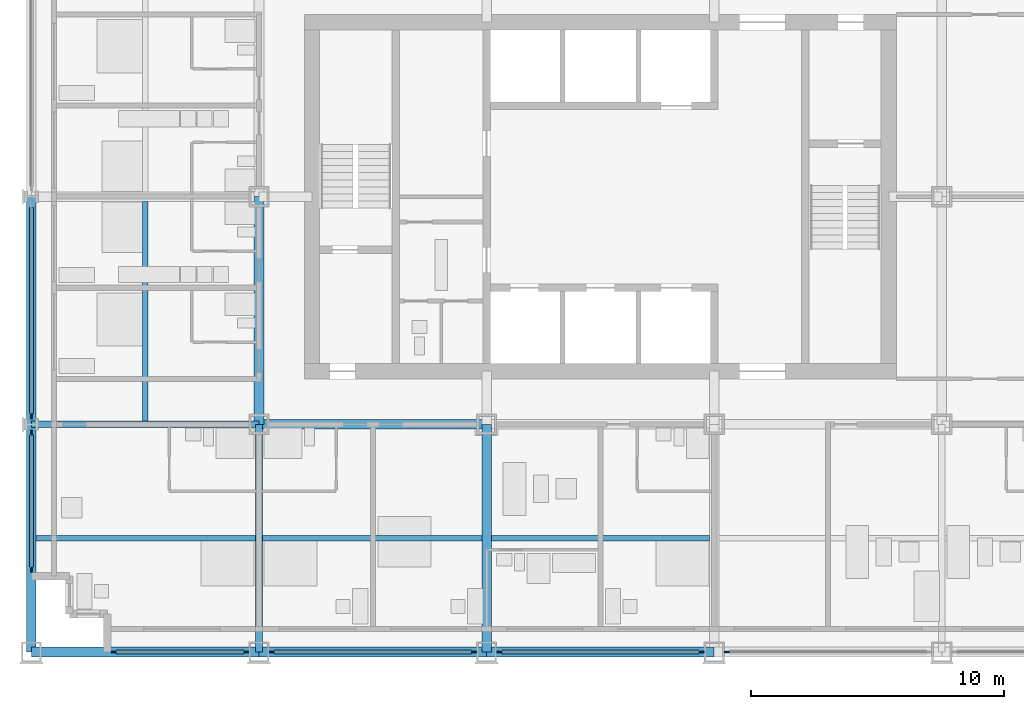
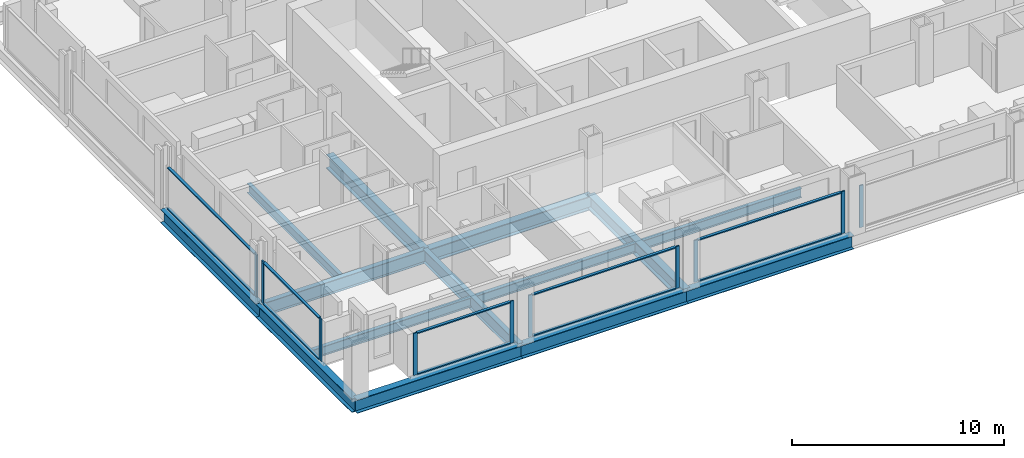
# One storey, part 2 of 18: 20 members, 14 beams, 6 elements without a shape of their own.
"""IFC4 building model written with IfcOpenShell, lengths in metres."""

from ifc_helpers import new_model, si_unit, direction, frame, origin, origin_2d, place, context, subcontext, project, spatial, rectangle, i_section, extrude, material, material_profile, profile_set, type_object, element, aggregate, save


model = new_model("IFC4")

# Units and contexts
model_context = context("Model", 3, precision=1e-05, world=origin(), true_north=direction((0.0, 1.0)))
body_context = subcontext(model_context, "Body", "Model", "MODEL_VIEW")
ifc_project = project(units=[si_unit("LENGTHUNIT", "METRE"), si_unit("AREAUNIT", "SQUARE_METRE"), si_unit("VOLUMEUNIT", "CUBIC_METRE"), si_unit("PLANEANGLEUNIT", "RADIAN"), si_unit("MASSUNIT", "GRAM", prefix="KILO")], contexts=[model_context])

# Site, building, storey
site_placement = place(None, origin())
site = spatial("IfcSite", under=ifc_project, at=site_placement, CompositionType="ELEMENT")
building_placement = place(site_placement, origin())
building = spatial("IfcBuilding", under=site, at=building_placement, Name="Loomwork Tower", CompositionType="ELEMENT")
storey_placement = place(building_placement, frame((0.0, 0.0, 58.60009765625)))
storey = spatial("IfcBuildingStorey", under=building, at=storey_placement, Name="L14", CompositionType="ELEMENT", Elevation=58.60009765625)

# Beams
ifc_material_1 = material(Name="Steel ASTM A992", Category="steel")
ifc_material_profile_1 = material_profile(ifc_material_1, i_section(OverallWidth=0.383544921875, OverallDepth=0.794921875, WebThickness=0.02099609375, FlangeThickness=0.0380859375, at=origin_2d()), Name="W30x235")
ifc_profile_set_1 = profile_set([ifc_material_profile_1], Name="Steel ASTM A992")
beam_type_1 = type_object("IfcBeamType", Name="CORE FLANK GIRDER W30x235", PredefinedType="BEAM", material=ifc_profile_set_1)
for number, where, z_axis, x_axis, name in (
    (1, (9.0, 9.0, -0.59765625), (1.0, 0.0, 0.0), (0.0, 1.0, 0.0), "Core Flank Girder E/3-E/4 L14"),
    (2, (9.0, 9.0, -0.59765625), (0.0, 1.0, 0.0), (-1.0, 0.0, 0.0), "Core Flank Girder E/3-F/3 L14"),
    (3, (18.0, 0.0, -0.59765625), (0.0, 1.0, 0.0), (-1.0, 0.0, 0.0), "Core Flank Girder D/4-E/4 L14"),
):
    element("IfcBeam", number, at=place(storey_placement, frame(where, z_axis=z_axis, x_axis=x_axis)), inside=storey, type_object=beam_type_1, Name=name, PredefinedType="BEAM", context=body_context, shape_type="SweptSolid", body=[
        extrude(i_section(OverallWidth=0.383544921875, OverallDepth=0.794921875, WebThickness=0.02099609375, FlangeThickness=0.0380859375, at=origin_2d()), origin(), (0.0, 0.0, 1.0), 9.0),
    ])
ifc_material_2 = material(Name="Steel ASTM A992", Category="steel")
ifc_material_profile_2 = material_profile(ifc_material_2, i_section(OverallWidth=0.2666015625, OverallDepth=0.761962890625, WebThickness=0.014404296875, FlangeThickness=0.021484375, at=origin_2d()), Name="W30x116")
ifc_profile_set_2 = profile_set([ifc_material_profile_2], Name="Steel ASTM A992")
beam_type_2 = type_object("IfcBeamType", Name="FLOOR GIRDER W30x116", PredefinedType="BEAM", material=ifc_profile_set_2)
for number, where, z_axis, x_axis, name in (
    (4, (0.0, 9.0, -0.5810546875), (1.0, 0.0, 0.0), (0.0, 1.0, 0.0), "Floor Girder E/2-E/3 L14"),
    (5, (9.0, 0.0, -0.5810546875), (0.0, 1.0, 0.0), (-1.0, 0.0, 0.0), "Floor Girder D/3-E/3 L14"),
):
    element("IfcBeam", number, at=place(storey_placement, frame(where, z_axis=z_axis, x_axis=x_axis)), inside=storey, type_object=beam_type_2, Name=name, PredefinedType="BEAM", context=body_context, shape_type="SweptSolid", body=[
        extrude(i_section(OverallWidth=0.2666015625, OverallDepth=0.761962890625, WebThickness=0.014404296875, FlangeThickness=0.021484375, at=origin_2d()), origin(), (0.0, 0.0, 1.0), 9.0),
    ])
ifc_material_3 = material(Name="Steel ASTM A992", Category="steel")
ifc_material_profile_3 = material_profile(ifc_material_3, i_section(OverallWidth=0.2109375, OverallDepth=0.53857421875, WebThickness=0.011474609375, FlangeThickness=0.018798828125, at=origin_2d()), Name="W21x73")
ifc_profile_set_3 = profile_set([ifc_material_profile_3], Name="Steel ASTM A992")
beam_type_3 = type_object("IfcBeamType", Name="FLOOR JOIST W21x73", PredefinedType="JOIST", material=ifc_profile_set_3)
beam_1_placement = place(storey_placement, frame((0.18994140625, 4.5, -0.46923828125), z_axis=(1.0, 0.0, 0.0), x_axis=(0.0, 1.0, 0.0)))
element("IfcBeam", 6, at=beam_1_placement, inside=storey, type_object=beam_type_3, Name="Floor Joist 0.000,4.500-9.000,4.500 L14", PredefinedType="JOIST", context=body_context, shape_type="SweptSolid", body=[
    extrude(i_section(OverallWidth=0.2109375, OverallDepth=0.53857421875, WebThickness=0.011474609375, FlangeThickness=0.018798828125, at=origin_2d()), origin(), (0.0, 0.0, 1.0), 8.677001953125),
])
for number, where, z_axis, x_axis, name in (
    (7, (4.5, 9.133056640625, -0.46923828125), (0.0, 1.0, 0.0), (-1.0, 0.0, 0.0), "Floor Joist 4.500,9.000-4.500,18.000 L14"),
    (8, (9.133056640625, 4.5, -0.46923828125), (1.0, 0.0, 0.0), (0.0, 1.0, 0.0), "Floor Joist 9.000,4.500-18.000,4.500 L14"),
):
    element("IfcBeam", number, at=place(storey_placement, frame(where, z_axis=z_axis, x_axis=x_axis)), inside=storey, type_object=beam_type_3, Name=name, PredefinedType="JOIST", context=body_context, shape_type="SweptSolid", body=[
        extrude(i_section(OverallWidth=0.2109375, OverallDepth=0.53857421875, WebThickness=0.011474609375, FlangeThickness=0.018798828125, at=origin_2d()), origin(), (0.0, 0.0, 1.0), 8.676025390625),
    ])
beam_2_placement = place(storey_placement, frame((18.19091796875, 4.5, -0.46923828125), z_axis=(1.0, 0.0, 0.0), x_axis=(0.0, 1.0, 0.0)))
element("IfcBeam", 9, at=beam_2_placement, inside=storey, type_object=beam_type_3, Name="Floor Joist 18.000,4.500-27.000,4.500 L14", PredefinedType="JOIST", context=body_context, shape_type="SweptSolid", body=[
    extrude(i_section(OverallWidth=0.2109375, OverallDepth=0.53857421875, WebThickness=0.011474609375, FlangeThickness=0.018798828125, at=origin_2d()), origin(), (0.0, 0.0, 1.0), 8.6181640625),
])

# Curtain wall, members
ifc_material_4 = material(Name="Aluminium curtain wall frame", Category="aluminium")
curtain_wall_type = type_object("IfcCurtainWallType", Name="Outer skin glazing hotel", PredefinedType="NOTDEFINED", material=ifc_material_4)
curtain_wall_1_placement = place(storey_placement, origin())
curtain_wall_1 = element("IfcCurtainWall", 10, at=curtain_wall_1_placement, inside=storey, type_object=curtain_wall_type, Name="Outer skin glazing hotel cw/S-0", PredefinedType="NOTDEFINED")
ifc_material_5 = material(Name="Aluminium curtain wall frame", Category="aluminium")
ifc_material_profile_4 = material_profile(ifc_material_5, rectangle(XDim=0.06494140625, YDim=0.199951171875, at=origin_2d()), Name="AL 65x200")
ifc_profile_set_4 = profile_set([ifc_material_profile_4], Name="Aluminium curtain wall frame")
member_type_1 = type_object("IfcMemberType", Name="Outer skin glazing hotel mullion", PredefinedType="MULLION", material=ifc_profile_set_4)
member_1_placement = place(storey_placement, frame((3.25, 0.0, 0.0), z_axis=(0.0, 0.0, 1.0), x_axis=(0.0, 1.0, 0.0)))
member_1 = element("IfcMember", 11, at=member_1_placement, type_object=member_type_1, Name="CW1 mullion 1", PredefinedType="MULLION", context=body_context, shape_type="SweptSolid", body=[
    extrude(rectangle(XDim=0.06494140625, YDim=0.199951171875, at=origin_2d()), origin(), (0.0, 0.0, 1.0), 2.420166015625),
])
member_2_placement = place(storey_placement, frame((8.5, 0.0, 0.0), z_axis=(0.0, 0.0, 1.0), x_axis=(0.0, 1.0, 0.0)))
member_2 = element("IfcMember", 12, at=member_2_placement, type_object=member_type_1, Name="CW1 mullion 2", PredefinedType="MULLION", context=body_context, shape_type="SweptSolid", body=[
    extrude(rectangle(XDim=0.06494140625, YDim=0.199951171875, at=origin_2d()), origin(), (0.0, 0.0, 1.0), 2.420166015625),
])

curtain_wall_2_placement = place(storey_placement, origin())
curtain_wall_2 = element("IfcCurtainWall", 13, at=curtain_wall_2_placement, inside=storey, type_object=curtain_wall_type, Name="Outer skin glazing hotel cw/S-9", PredefinedType="NOTDEFINED")
member_3_placement = place(storey_placement, frame((9.5, 0.0, 0.0), z_axis=(0.0, 0.0, 1.0), x_axis=(0.0, 1.0, 0.0)))
member_3 = element("IfcMember", 14, at=member_3_placement, type_object=member_type_1, Name="CW1 mullion 1", PredefinedType="MULLION", context=body_context, shape_type="SweptSolid", body=[
    extrude(rectangle(XDim=0.06494140625, YDim=0.199951171875, at=origin_2d()), origin(), (0.0, 0.0, 1.0), 2.420166015625),
])
member_4_placement = place(storey_placement, frame((17.5, 0.0, 0.0), z_axis=(0.0, 0.0, 1.0), x_axis=(0.0, 1.0, 0.0)))
member_4 = element("IfcMember", 15, at=member_4_placement, type_object=member_type_1, Name="CW1 mullion 2", PredefinedType="MULLION", context=body_context, shape_type="SweptSolid", body=[
    extrude(rectangle(XDim=0.06494140625, YDim=0.199951171875, at=origin_2d()), origin(), (0.0, 0.0, 1.0), 2.420166015625),
])

curtain_wall_3_placement = place(storey_placement, origin())
curtain_wall_3 = element("IfcCurtainWall", 16, at=curtain_wall_3_placement, inside=storey, type_object=curtain_wall_type, Name="Outer skin glazing hotel cw/S-18", PredefinedType="NOTDEFINED")
member_5_placement = place(storey_placement, frame((18.5, 0.0, 0.0), z_axis=(0.0, 0.0, 1.0), x_axis=(0.0, 1.0, 0.0)))
member_5 = element("IfcMember", 17, at=member_5_placement, type_object=member_type_1, Name="CW1 mullion 1", PredefinedType="MULLION", context=body_context, shape_type="SweptSolid", body=[
    extrude(rectangle(XDim=0.06494140625, YDim=0.199951171875, at=origin_2d()), origin(), (0.0, 0.0, 1.0), 2.420166015625),
])
member_6_placement = place(storey_placement, frame((26.5, 0.0, 0.0), z_axis=(0.0, 0.0, 1.0), x_axis=(0.0, 1.0, 0.0)))
member_6 = element("IfcMember", 18, at=member_6_placement, type_object=member_type_1, Name="CW1 mullion 2", PredefinedType="MULLION", context=body_context, shape_type="SweptSolid", body=[
    extrude(rectangle(XDim=0.06494140625, YDim=0.199951171875, at=origin_2d()), origin(), (0.0, 0.0, 1.0), 2.420166015625),
])

# Curtain wall, member
curtain_wall_4_placement = place(storey_placement, origin())
curtain_wall_4 = element("IfcCurtainWall", 19, at=curtain_wall_4_placement, inside=storey, type_object=curtain_wall_type, Name="Outer skin glazing hotel cw/S-27", PredefinedType="NOTDEFINED")
member_7_placement = place(storey_placement, frame((27.5, 0.0, 0.0), z_axis=(0.0, 0.0, 1.0), x_axis=(0.0, 1.0, 0.0)))
member_7 = element("IfcMember", 20, at=member_7_placement, type_object=member_type_1, Name="CW1 mullion 1", PredefinedType="MULLION", context=body_context, shape_type="SweptSolid", body=[
    extrude(rectangle(XDim=0.06494140625, YDim=0.199951171875, at=origin_2d()), origin(), (0.0, 0.0, 1.0), 2.420166015625),
])
aggregate(curtain_wall_4, [member_7])

# Curtain wall, members
curtain_wall_5_placement = place(storey_placement, origin())
curtain_wall_5 = element("IfcCurtainWall", 21, at=curtain_wall_5_placement, inside=storey, type_object=curtain_wall_type, Name="Outer skin glazing hotel cw/W-0", PredefinedType="NOTDEFINED")
member_8_placement = place(storey_placement, frame((0.0, 8.672607421875, 0.0), z_axis=(0.0, 0.0, 1.0), x_axis=(1.0, 0.0, 0.0)))
member_8 = element("IfcMember", 22, at=member_8_placement, type_object=member_type_1, Name="CW1 mullion 1", PredefinedType="MULLION", context=body_context, shape_type="SweptSolid", body=[
    extrude(rectangle(XDim=0.06494140625, YDim=0.199951171875, at=origin_2d()), origin(), (0.0, 0.0, 1.0), 2.420166015625),
])
member_9_placement = place(storey_placement, frame((0.0, 3.25, 0.0), z_axis=(0.0, 0.0, 1.0), x_axis=(1.0, 0.0, 0.0)))
member_9 = element("IfcMember", 23, at=member_9_placement, type_object=member_type_1, Name="CW1 mullion 2", PredefinedType="MULLION", context=body_context, shape_type="SweptSolid", body=[
    extrude(rectangle(XDim=0.06494140625, YDim=0.199951171875, at=origin_2d()), origin(), (0.0, 0.0, 1.0), 2.420166015625),
])

# Curtain wall, member
curtain_wall_6_placement = place(storey_placement, origin())
curtain_wall_6 = element("IfcCurtainWall", 24, at=curtain_wall_6_placement, inside=storey, type_object=curtain_wall_type, Name="Outer skin glazing hotel cw/W-9", PredefinedType="NOTDEFINED")
member_10_placement = place(storey_placement, frame((0.0, 9.327392578125, 0.0), z_axis=(0.0, 0.0, 1.0), x_axis=(1.0, 0.0, 0.0)))
member_10 = element("IfcMember", 25, at=member_10_placement, type_object=member_type_1, Name="CW1 mullion 2", PredefinedType="MULLION", context=body_context, shape_type="SweptSolid", body=[
    extrude(rectangle(XDim=0.06494140625, YDim=0.199951171875, at=origin_2d()), origin(), (0.0, 0.0, 1.0), 2.420166015625),
])

# Member
ifc_material_6 = material(Name="Aluminium curtain wall frame", Category="aluminium")
ifc_material_profile_5 = material_profile(ifc_material_6, rectangle(XDim=0.14990234375, YDim=0.06494140625, at=origin_2d()), Name="AL 65x150")
ifc_profile_set_5 = profile_set([ifc_material_profile_5], Name="Aluminium curtain wall frame")
member_type_2 = type_object("IfcMemberType", Name="Outer skin glazing hotel transom", PredefinedType="USERDEFINED", material=ifc_profile_set_5)
member_11_placement = place(storey_placement, frame((3.35009765625, 0.0, 0.032470703125), z_axis=(1.0, 0.0, 0.0), x_axis=(0.0, 1.0, 0.0)))
member_11 = element("IfcMember", 26, at=member_11_placement, type_object=member_type_2, Name="CW1 transom 1.1", ObjectType="TRANSOM", PredefinedType="USERDEFINED", context=body_context, shape_type="SweptSolid", body=[
    extrude(rectangle(XDim=0.14990234375, YDim=0.06494140625, at=origin_2d()), origin(), (0.0, 0.0, 1.0), 5.0498046875),
])

member_12_placement = place(storey_placement, frame((3.35009765625, 0.0, 2.3876953125), z_axis=(1.0, 0.0, 0.0), x_axis=(0.0, 1.0, 0.0)))
member_12 = element("IfcMember", 27, at=member_12_placement, type_object=member_type_2, Name="CW1 transom 1.2", ObjectType="TRANSOM", PredefinedType="USERDEFINED", context=body_context, shape_type="SweptSolid", body=[
    extrude(rectangle(XDim=0.14990234375, YDim=0.06494140625, at=origin_2d()), origin(), (0.0, 0.0, 1.0), 5.0498046875),
])

aggregate(curtain_wall_1, [member_1, member_2, member_11, member_12])

member_13_placement = place(storey_placement, frame((9.60009765625, 0.0, 0.032470703125), z_axis=(1.0, 0.0, 0.0), x_axis=(0.0, 1.0, 0.0)))
member_13 = element("IfcMember", 28, at=member_13_placement, type_object=member_type_2, Name="CW1 transom 1.1", ObjectType="TRANSOM", PredefinedType="USERDEFINED", context=body_context, shape_type="SweptSolid", body=[
    extrude(rectangle(XDim=0.14990234375, YDim=0.06494140625, at=origin_2d()), origin(), (0.0, 0.0, 1.0), 7.7998046875),
])

member_14_placement = place(storey_placement, frame((9.60009765625, 0.0, 2.3876953125), z_axis=(1.0, 0.0, 0.0), x_axis=(0.0, 1.0, 0.0)))
member_14 = element("IfcMember", 29, at=member_14_placement, type_object=member_type_2, Name="CW1 transom 1.2", ObjectType="TRANSOM", PredefinedType="USERDEFINED", context=body_context, shape_type="SweptSolid", body=[
    extrude(rectangle(XDim=0.14990234375, YDim=0.06494140625, at=origin_2d()), origin(), (0.0, 0.0, 1.0), 7.7998046875),
])

aggregate(curtain_wall_2, [member_3, member_4, member_13, member_14])

member_15_placement = place(storey_placement, frame((18.60009765625, 0.0, 0.032470703125), z_axis=(1.0, 0.0, 0.0), x_axis=(0.0, 1.0, 0.0)))
member_15 = element("IfcMember", 30, at=member_15_placement, type_object=member_type_2, Name="CW1 transom 1.1", ObjectType="TRANSOM", PredefinedType="USERDEFINED", context=body_context, shape_type="SweptSolid", body=[
    extrude(rectangle(XDim=0.14990234375, YDim=0.06494140625, at=origin_2d()), origin(), (0.0, 0.0, 1.0), 7.7998046875),
])

member_16_placement = place(storey_placement, frame((18.60009765625, 0.0, 2.3876953125), z_axis=(1.0, 0.0, 0.0), x_axis=(0.0, 1.0, 0.0)))
member_16 = element("IfcMember", 31, at=member_16_placement, type_object=member_type_2, Name="CW1 transom 1.2", ObjectType="TRANSOM", PredefinedType="USERDEFINED", context=body_context, shape_type="SweptSolid", body=[
    extrude(rectangle(XDim=0.14990234375, YDim=0.06494140625, at=origin_2d()), origin(), (0.0, 0.0, 1.0), 7.7998046875),
])

aggregate(curtain_wall_3, [member_5, member_6, member_15, member_16])

member_17_placement = place(storey_placement, frame((0.0, 8.57275390625, 0.032470703125), z_axis=(0.0, -1.0, 0.0), x_axis=(1.0, 0.0, 0.0)))
member_17 = element("IfcMember", 32, at=member_17_placement, type_object=member_type_2, Name="CW1 transom 1.1", ObjectType="TRANSOM", PredefinedType="USERDEFINED", context=body_context, shape_type="SweptSolid", body=[
    extrude(rectangle(XDim=0.14990234375, YDim=0.06494140625, at=origin_2d()), origin(), (0.0, 0.0, 1.0), 5.22265625),
])

member_18_placement = place(storey_placement, frame((0.0, 8.57275390625, 2.3876953125), z_axis=(0.0, -1.0, 0.0), x_axis=(1.0, 0.0, 0.0)))
member_18 = element("IfcMember", 33, at=member_18_placement, type_object=member_type_2, Name="CW1 transom 1.2", ObjectType="TRANSOM", PredefinedType="USERDEFINED", context=body_context, shape_type="SweptSolid", body=[
    extrude(rectangle(XDim=0.14990234375, YDim=0.06494140625, at=origin_2d()), origin(), (0.0, 0.0, 1.0), 5.22265625),
])

aggregate(curtain_wall_5, [member_8, member_9, member_17, member_18])

member_19_placement = place(storey_placement, frame((0.0, 17.57275390625, 0.032470703125), z_axis=(0.0, -1.0, 0.0), x_axis=(1.0, 0.0, 0.0)))
member_19 = element("IfcMember", 34, at=member_19_placement, type_object=member_type_2, Name="CW1 transom 1.1", ObjectType="TRANSOM", PredefinedType="USERDEFINED", context=body_context, shape_type="SweptSolid", body=[
    extrude(rectangle(XDim=0.14990234375, YDim=0.06494140625, at=origin_2d()), origin(), (0.0, 0.0, 1.0), 8.1455078125),
])

member_20_placement = place(storey_placement, frame((0.0, 17.57275390625, 2.3876953125), z_axis=(0.0, -1.0, 0.0), x_axis=(1.0, 0.0, 0.0)))
member_20 = element("IfcMember", 35, at=member_20_placement, type_object=member_type_2, Name="CW1 transom 1.2", ObjectType="TRANSOM", PredefinedType="USERDEFINED", context=body_context, shape_type="SweptSolid", body=[
    extrude(rectangle(XDim=0.14990234375, YDim=0.06494140625, at=origin_2d()), origin(), (0.0, 0.0, 1.0), 8.1455078125),
])

aggregate(curtain_wall_6, [member_10, member_19, member_20])

# Beams
ifc_material_7 = material(Name="Steel ASTM A992", Category="steel")
ifc_material_profile_6 = material_profile(ifc_material_7, i_section(OverallWidth=0.381103515625, OverallDepth=0.77978515625, WebThickness=0.01806640625, FlangeThickness=0.0302734375, at=origin_2d()), Name="W30x191")
ifc_profile_set_6 = profile_set([ifc_material_profile_6], Name="Steel ASTM A992")
beam_type_4 = type_object("IfcBeamType", Name="SPANDREL GIRDER W30x191", PredefinedType="SPANDREL", material=ifc_profile_set_6)
for number, where, z_axis, x_axis, name in (
    (36, (0.0, 0.0, -0.590087890625), (1.0, 0.0, 0.0), (0.0, 1.0, 0.0), "Spandrel Girder D/2-D/3 L14"),
    (37, (9.0, 0.0, -0.590087890625), (1.0, 0.0, 0.0), (0.0, 1.0, 0.0), "Spandrel Girder D/3-D/4 L14"),
    (38, (18.0, 0.0, -0.590087890625), (1.0, 0.0, 0.0), (0.0, 1.0, 0.0), "Spandrel Girder D/4-D/5 L14"),
    (39, (0.0, 0.0, -0.590087890625), (0.0, 1.0, 0.0), (-1.0, 0.0, 0.0), "Spandrel Girder D/2-E/2 L14"),
    (40, (0.0, 9.0, -0.590087890625), (0.0, 1.0, 0.0), (-1.0, 0.0, 0.0), "Spandrel Girder E/2-F/2 L14"),
):
    element("IfcBeam", number, at=place(storey_placement, frame(where, z_axis=z_axis, x_axis=x_axis)), inside=storey, type_object=beam_type_4, Name=name, PredefinedType="SPANDREL", context=body_context, shape_type="SweptSolid", body=[
        extrude(i_section(OverallWidth=0.381103515625, OverallDepth=0.77978515625, WebThickness=0.01806640625, FlangeThickness=0.0302734375, at=origin_2d()), origin(), (0.0, 0.0, 1.0), 9.0),
    ])

save(model, "model.ifc")
